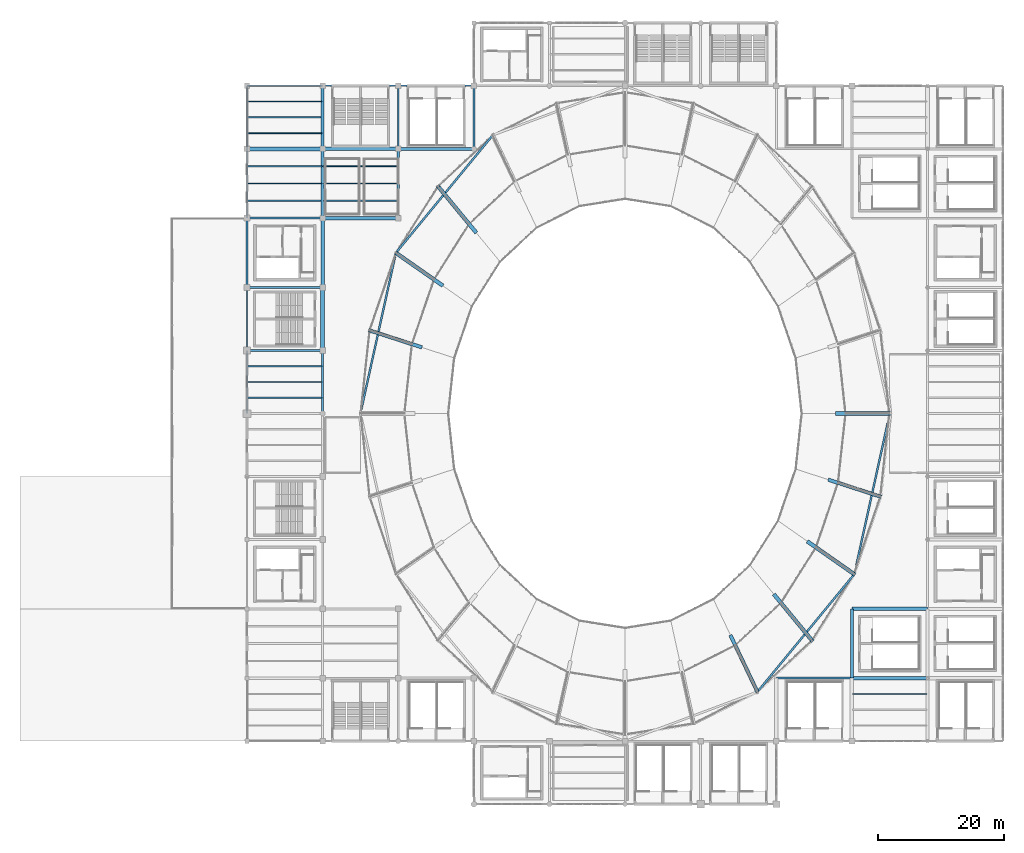
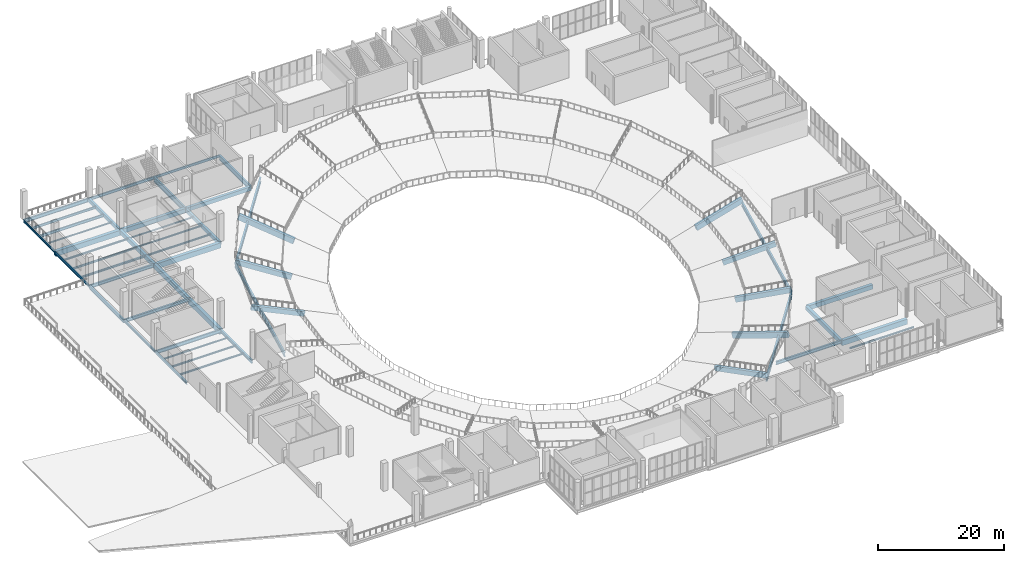
# One storey, part 17 of 74: 52 beams.
"""IFC4 building model written with IfcOpenShell, lengths in metres."""

from ifc_helpers import new_model, si_unit, direction, frame, origin, origin_2d, place, context, subcontext, project, spatial, rectangle, i_section, extrude, material, material_profile, profile_set, type_object, element, save


model = new_model("IFC4")

# Units and contexts
model_context = context("Model", 3, precision=1e-05, world=origin(), true_north=direction((0.0, 1.0)))
body_context = subcontext(model_context, "Body", "Model", "MODEL_VIEW")
ifc_project = project(units=[si_unit("LENGTHUNIT", "METRE"), si_unit("AREAUNIT", "SQUARE_METRE"), si_unit("VOLUMEUNIT", "CUBIC_METRE"), si_unit("PLANEANGLEUNIT", "RADIAN"), si_unit("MASSUNIT", "GRAM", prefix="KILO")], contexts=[model_context])

# Site, building, storey
site_placement = place(None, origin())
site = spatial("IfcSite", under=ifc_project, at=site_placement, CompositionType="ELEMENT")
building_placement = place(site_placement, origin())
building = spatial("IfcBuilding", under=site, at=building_placement, Name="Brinegate Civic Arena", CompositionType="ELEMENT")
storey_placement = place(building_placement, frame((0.0, 0.0, 19.199951171875)))
storey = spatial("IfcBuildingStorey", under=building, at=storey_placement, Name="L04", CompositionType="ELEMENT", Elevation=19.199951171875)

# Beams
ifc_material_1 = material(Name="Steel S355", Category="steel")
ifc_material_profile_1 = material_profile(ifc_material_1, i_section(OverallWidth=0.300048828125, OverallDepth=1.0, WebThickness=0.01904296875, FlangeThickness=0.031982421875, FilletRadius=0.02392578125, at=origin_2d()), Name="W1000X321")
ifc_profile_set_1 = profile_set([ifc_material_profile_1], Name="Steel S355")
beam_type_1 = type_object("IfcBeamType", Name="GIRDER-W1000X321", PredefinedType="BEAM", material=ifc_profile_set_1)
beam_1_placement = place(storey_placement, frame((72.0, 104.0, -0.83984375), z_axis=(0.0, 1.0, 0.0), x_axis=(-1.0, 0.0, 0.0)))
element("IfcBeam", 1, at=beam_1_placement, inside=storey, type_object=beam_type_1, Name="Floor Girder BM-L04-GY-06-10", PredefinedType="BEAM", context=body_context, shape_type="SweptSolid", body=[
    extrude(i_section(OverallWidth=0.300048828125, OverallDepth=1.0, WebThickness=0.01904296875, FlangeThickness=0.031982421875, FilletRadius=0.02392578125, at=origin_2d()), origin(), (0.0, 0.0, 1.0), 10.0),
])
ifc_material_profile_2 = material_profile(ifc_material_1, i_section(OverallWidth=0.323974609375, OverallDepth=0.611083984375, WebThickness=0.012939453125, FlangeThickness=0.01904296875, FilletRadius=0.01611328125, at=origin_2d()), Name="W610X155")
ifc_profile_set_2 = profile_set([ifc_material_profile_2], Name="Steel S355")
beam_type_2 = type_object("IfcBeamType", Name="GIRDER-W610X155", PredefinedType="BEAM", material=ifc_profile_set_2)
beam_2_placement = place(storey_placement, frame((48.0, 82.0, -0.64501953125), z_axis=(1.0, 0.0, 0.0), x_axis=(0.0, 1.0, 0.0)))
element("IfcBeam", 2, at=beam_2_placement, inside=storey, type_object=beam_type_2, Name="Floor Girder BM-L04-GX-04-08", PredefinedType="BEAM", context=body_context, shape_type="SweptSolid", body=[
    extrude(i_section(OverallWidth=0.323974609375, OverallDepth=0.611083984375, WebThickness=0.012939453125, FlangeThickness=0.01904296875, FilletRadius=0.01611328125, at=origin_2d()), origin(), (0.0, 0.0, 1.0), 12.0),
])
ifc_material_profile_3 = material_profile(ifc_material_1, i_section(OverallWidth=0.324951171875, OverallDepth=0.615966796875, WebThickness=0.013916015625, FlangeThickness=0.02197265625, FilletRadius=0.01611328125, at=origin_2d()), Name="W610X174")
ifc_profile_set_3 = profile_set([ifc_material_profile_3], Name="Steel S355")
beam_type_3 = type_object("IfcBeamType", Name="GIRDER-W610X174", PredefinedType="BEAM", material=ifc_profile_set_3)
for number, where, z_axis, x_axis, name in (
    (3, (132.0, 20.0, -0.64794921875), (1.0, 0.0, 0.0), (0.0, 1.0, 0.0), "Floor Girder BM-L04-GX-11-02"),
    (4, (48.0, 93.0, -0.64794921875), (1.0, 0.0, 0.0), (0.0, 1.0, 0.0), "Floor Girder BM-L04-GX-04-09"),
):
    element("IfcBeam", number, at=place(storey_placement, frame(where, z_axis=z_axis, x_axis=x_axis)), inside=storey, type_object=beam_type_3, Name=name, PredefinedType="BEAM", context=body_context, shape_type="SweptSolid", body=[
        extrude(i_section(OverallWidth=0.324951171875, OverallDepth=0.615966796875, WebThickness=0.013916015625, FlangeThickness=0.02197265625, FilletRadius=0.01611328125, at=origin_2d()), origin(), (0.0, 0.0, 1.0), 12.0),
    ])
beam_3_placement = place(storey_placement, frame((60.0, 62.0, -0.64794921875), z_axis=(0.0, 1.0, 0.0), x_axis=(-1.0, 0.0, 0.0)))
element("IfcBeam", 5, at=beam_3_placement, inside=storey, type_object=beam_type_3, Name="Floor Girder BM-L04-GY-05-06", PredefinedType="BEAM", context=body_context, shape_type="SweptSolid", body=[
    extrude(i_section(OverallWidth=0.324951171875, OverallDepth=0.615966796875, WebThickness=0.013916015625, FlangeThickness=0.02197265625, FilletRadius=0.01611328125, at=origin_2d()), origin(), (0.0, 0.0, 1.0), 10.0),
])
ifc_material_profile_4 = material_profile(ifc_material_1, i_section(OverallWidth=0.256103515625, OverallDepth=0.693115234375, WebThickness=0.014892578125, FlangeThickness=0.02392578125, FilletRadius=0.01806640625, at=origin_2d()), Name="W690X170")
ifc_profile_set_4 = profile_set([ifc_material_profile_4], Name="Steel S355")
beam_type_4 = type_object("IfcBeamType", Name="GIRDER-W690X170", PredefinedType="BEAM", material=ifc_profile_set_4)
beam_4_placement = place(storey_placement, frame((48.0, 72.0, -0.68603515625), z_axis=(1.0, 0.0, 0.0), x_axis=(0.0, 1.0, 0.0)))
element("IfcBeam", 6, at=beam_4_placement, inside=storey, type_object=beam_type_4, Name="Floor Girder BM-L04-GX-04-07", PredefinedType="BEAM", context=body_context, shape_type="SweptSolid", body=[
    extrude(i_section(OverallWidth=0.256103515625, OverallDepth=0.693115234375, WebThickness=0.014892578125, FlangeThickness=0.02392578125, FilletRadius=0.01806640625, at=origin_2d()), origin(), (0.0, 0.0, 1.0), 12.0),
])
ifc_material_profile_5 = material_profile(ifc_material_1, i_section(OverallWidth=0.30810546875, OverallDepth=0.927001953125, WebThickness=0.01904296875, FlangeThickness=0.031982421875, FilletRadius=0.02392578125, at=origin_2d()), Name="W920X289")
ifc_profile_set_5 = profile_set([ifc_material_profile_5], Name="Steel S355")
beam_type_5 = type_object("IfcBeamType", Name="GIRDER-W920X289", PredefinedType="BEAM", material=ifc_profile_set_5)
beam_5_placement = place(storey_placement, frame((84.0, 104.0, -0.802978515625), z_axis=(0.0, 1.0, 0.0), x_axis=(-1.0, 0.0, 0.0)))
element("IfcBeam", 7, at=beam_5_placement, inside=storey, type_object=beam_type_5, Name="Floor Girder BM-L04-GY-07-10", PredefinedType="BEAM", context=body_context, shape_type="SweptSolid", body=[
    extrude(i_section(OverallWidth=0.30810546875, OverallDepth=0.927001953125, WebThickness=0.01904296875, FlangeThickness=0.031982421875, FilletRadius=0.02392578125, at=origin_2d()), origin(), (0.0, 0.0, 1.0), 10.0),
])
ifc_material_profile_6 = material_profile(ifc_material_1, i_section(OverallWidth=0.14794921875, OverallDepth=0.26611328125, WebThickness=0.008056640625, FlangeThickness=0.012939453125, FilletRadius=0.011962890625, at=origin_2d()), Name="W250X45")
ifc_profile_set_6 = profile_set([ifc_material_profile_6], Name="Steel S355")
beam_type_6 = type_object("IfcBeamType", Name="JOIST-W250X45", PredefinedType="JOIST", material=ifc_profile_set_6)
for number, where, z_axis, x_axis, name in (
    (8, (48.10595703125, 106.5, -0.472900390625), (1.0, 0.0, 0.0), (0.0, 1.0, 0.0), "Secondary Joist BM-L04-JX-04-10-1"),
    (9, (60.10595703125, 101.25, -0.472900390625), (1.0, 0.0, 0.0), (0.0, 1.0, 0.0), "Secondary Joist BM-L04-JX-05-09-3"),
):
    element("IfcBeam", number, at=place(storey_placement, frame(where, z_axis=z_axis, x_axis=x_axis)), inside=storey, type_object=beam_type_6, Name=name, PredefinedType="JOIST", context=body_context, shape_type="SweptSolid", body=[
        extrude(i_section(OverallWidth=0.14794921875, OverallDepth=0.26611328125, WebThickness=0.008056640625, FlangeThickness=0.012939453125, FilletRadius=0.011962890625, at=origin_2d()), origin(), (0.0, 0.0, 1.0), 11.7880859375),
    ])
ifc_material_profile_7 = material_profile(ifc_material_1, i_section(OverallWidth=0.202880859375, OverallDepth=0.251953125, WebThickness=0.008056640625, FlangeThickness=0.013916015625, FilletRadius=0.011962890625, at=origin_2d()), Name="W250X58")
ifc_profile_set_7 = profile_set([ifc_material_profile_7], Name="Steel S355")
beam_type_7 = type_object("IfcBeamType", Name="JOIST-W250X58", PredefinedType="JOIST", material=ifc_profile_set_7)
for number, where, z_axis, x_axis, name in (
    (10, (48.10595703125, 69.5, -0.466064453125), (1.0, 0.0, 0.0), (0.0, 1.0, 0.0), "Secondary Joist BM-L04-JX-04-06-3"),
    (11, (60.10595703125, 98.5, -0.466064453125), (1.0, 0.0, 0.0), (0.0, 1.0, 0.0), "Secondary Joist BM-L04-JX-05-09-2"),
):
    element("IfcBeam", number, at=place(storey_placement, frame(where, z_axis=z_axis, x_axis=x_axis)), inside=storey, type_object=beam_type_7, Name=name, PredefinedType="JOIST", context=body_context, shape_type="SweptSolid", body=[
        extrude(i_section(OverallWidth=0.202880859375, OverallDepth=0.251953125, WebThickness=0.008056640625, FlangeThickness=0.013916015625, FilletRadius=0.011962890625, at=origin_2d()), origin(), (0.0, 0.0, 1.0), 11.7880859375),
    ])
ifc_material_profile_8 = material_profile(ifc_material_1, i_section(OverallWidth=0.202880859375, OverallDepth=0.302978515625, WebThickness=0.008056640625, FlangeThickness=0.012939453125, FilletRadius=0.012939453125, at=origin_2d()), Name="W310X60")
ifc_profile_set_8 = profile_set([ifc_material_profile_8], Name="Steel S355")
beam_type_8 = type_object("IfcBeamType", Name="JOIST-W310X60", PredefinedType="JOIST", material=ifc_profile_set_8)
for number, where, z_axis, x_axis, name in (
    (12, (48.10595703125, 67.0, -0.490966796875), (1.0, 0.0, 0.0), (0.0, 1.0, 0.0), "Secondary Joist BM-L04-JX-04-06-2"),
    (13, (60.10595703125, 95.75, -0.490966796875), (1.0, 0.0, 0.0), (0.0, 1.0, 0.0), "Secondary Joist BM-L04-JX-05-09-1"),
    (14, (144.10595703125, 17.5, -0.490966796875), (1.0, 0.0, 0.0), (0.0, 1.0, 0.0), "Secondary Joist BM-L04-JX-12-01-3"),
):
    element("IfcBeam", number, at=place(storey_placement, frame(where, z_axis=z_axis, x_axis=x_axis)), inside=storey, type_object=beam_type_8, Name=name, PredefinedType="JOIST", context=body_context, shape_type="SweptSolid", body=[
        extrude(i_section(OverallWidth=0.202880859375, OverallDepth=0.302978515625, WebThickness=0.008056640625, FlangeThickness=0.012939453125, FilletRadius=0.012939453125, at=origin_2d()), origin(), (0.0, 0.0, 1.0), 11.7880859375),
    ])
ifc_material_profile_9 = material_profile(ifc_material_1, i_section(OverallWidth=0.205078125, OverallDepth=0.31005859375, WebThickness=0.009033203125, FlangeThickness=0.01611328125, FilletRadius=0.012939453125, at=origin_2d()), Name="W310X74")
ifc_profile_set_9 = profile_set([ifc_material_profile_9], Name="Steel S355")
beam_type_9 = type_object("IfcBeamType", Name="JOIST-W310X74", PredefinedType="JOIST", material=ifc_profile_set_9)
for number, where, z_axis, x_axis, name in (
    (15, (48.10595703125, 64.5, -0.494873046875), (1.0, 0.0, 0.0), (0.0, 1.0, 0.0), "Secondary Joist BM-L04-JX-04-06-1"),
    (16, (48.10595703125, 101.25, -0.494873046875), (1.0, 0.0, 0.0), (0.0, 1.0, 0.0), "Secondary Joist BM-L04-JX-04-09-3"),
):
    element("IfcBeam", number, at=place(storey_placement, frame(where, z_axis=z_axis, x_axis=x_axis)), inside=storey, type_object=beam_type_9, Name=name, PredefinedType="JOIST", context=body_context, shape_type="SweptSolid", body=[
        extrude(i_section(OverallWidth=0.205078125, OverallDepth=0.31005859375, WebThickness=0.009033203125, FlangeThickness=0.01611328125, FilletRadius=0.012939453125, at=origin_2d()), origin(), (0.0, 0.0, 1.0), 11.7880859375),
    ])
ifc_material_profile_10 = material_profile(ifc_material_1, i_section(OverallWidth=0.205078125, OverallDepth=0.35400390625, WebThickness=0.009033203125, FlangeThickness=0.01708984375, FilletRadius=0.013916015625, at=origin_2d()), Name="W360X79")
ifc_profile_set_10 = profile_set([ifc_material_profile_10], Name="Steel S355")
beam_type_10 = type_object("IfcBeamType", Name="JOIST-W360X79", PredefinedType="JOIST", material=ifc_profile_set_10)
beam_6_placement = place(storey_placement, frame((48.10595703125, 98.5, -0.516845703125), z_axis=(1.0, 0.0, 0.0), x_axis=(0.0, 1.0, 0.0)))
element("IfcBeam", 17, at=beam_6_placement, inside=storey, type_object=beam_type_10, Name="Secondary Joist BM-L04-JX-04-09-2", PredefinedType="JOIST", context=body_context, shape_type="SweptSolid", body=[
    extrude(i_section(OverallWidth=0.205078125, OverallDepth=0.35400390625, WebThickness=0.009033203125, FlangeThickness=0.01708984375, FilletRadius=0.013916015625, at=origin_2d()), origin(), (0.0, 0.0, 1.0), 11.7880859375),
])
ifc_material_profile_11 = material_profile(ifc_material_1, i_section(OverallWidth=0.25390625, OverallDepth=0.35302734375, WebThickness=0.010009765625, FlangeThickness=0.01611328125, FilletRadius=0.013916015625, at=origin_2d()), Name="W360X91")
ifc_profile_set_11 = profile_set([ifc_material_profile_11], Name="Steel S355")
beam_type_11 = type_object("IfcBeamType", Name="JOIST-W360X91", PredefinedType="JOIST", material=ifc_profile_set_11)
beam_7_placement = place(storey_placement, frame((48.10595703125, 95.75, -0.515869140625), z_axis=(1.0, 0.0, 0.0), x_axis=(0.0, 1.0, 0.0)))
element("IfcBeam", 18, at=beam_7_placement, inside=storey, type_object=beam_type_11, Name="Secondary Joist BM-L04-JX-04-09-1", PredefinedType="JOIST", context=body_context, shape_type="SweptSolid", body=[
    extrude(i_section(OverallWidth=0.25390625, OverallDepth=0.35302734375, WebThickness=0.010009765625, FlangeThickness=0.01611328125, FilletRadius=0.013916015625, at=origin_2d()), origin(), (0.0, 0.0, 1.0), 11.7880859375),
])
ifc_material_profile_12 = material_profile(ifc_material_1, i_section(OverallWidth=0.193115234375, OverallDepth=0.466064453125, WebThickness=0.010986328125, FlangeThickness=0.01904296875, FilletRadius=0.014892578125, at=origin_2d()), Name="W460X97")
ifc_profile_set_12 = profile_set([ifc_material_profile_12], Name="Steel S355")
beam_type_12 = type_object("IfcBeamType", Name="JOIST-W460X97", PredefinedType="JOIST", material=ifc_profile_set_12)
beam_8_placement = place(storey_placement, frame((48.10595703125, 111.5, -0.572998046875), z_axis=(1.0, 0.0, 0.0), x_axis=(0.0, 1.0, 0.0)))
element("IfcBeam", 19, at=beam_8_placement, inside=storey, type_object=beam_type_12, Name="Secondary Joist BM-L04-JX-04-10-3", PredefinedType="JOIST", context=body_context, shape_type="SweptSolid", body=[
    extrude(i_section(OverallWidth=0.193115234375, OverallDepth=0.466064453125, WebThickness=0.010986328125, FlangeThickness=0.01904296875, FilletRadius=0.014892578125, at=origin_2d()), origin(), (0.0, 0.0, 1.0), 11.7880859375),
])
ifc_material_profile_13 = material_profile(ifc_material_1, i_section(OverallWidth=0.2119140625, OverallDepth=0.5439453125, WebThickness=0.012939453125, FlangeThickness=0.02099609375, FilletRadius=0.01611328125, at=origin_2d()), Name="W530X123")
ifc_profile_set_13 = profile_set([ifc_material_profile_13], Name="Steel S355")
beam_type_13 = type_object("IfcBeamType", Name="JOIST-W530X123", PredefinedType="JOIST", material=ifc_profile_set_13)
beam_9_placement = place(storey_placement, frame((48.10595703125, 109.0, -0.612060546875), z_axis=(1.0, 0.0, 0.0), x_axis=(0.0, 1.0, 0.0)))
element("IfcBeam", 20, at=beam_9_placement, inside=storey, type_object=beam_type_13, Name="Secondary Joist BM-L04-JX-04-10-2", PredefinedType="JOIST", context=body_context, shape_type="SweptSolid", body=[
    extrude(i_section(OverallWidth=0.2119140625, OverallDepth=0.5439453125, WebThickness=0.012939453125, FlangeThickness=0.02099609375, FilletRadius=0.01611328125, at=origin_2d()), origin(), (0.0, 0.0, 1.0), 11.7880859375),
])
ifc_material_2 = material(Name="Concrete C50/60", Category="concrete")
ifc_material_profile_14 = material_profile(ifc_material_2, rectangle(XDim=0.550048828125, YDim=0.89990234375, at=origin_2d()), Name="RKR550X900")
ifc_profile_set_14 = profile_set([ifc_material_profile_14], Name="Concrete C50/60")
beam_type_14 = type_object("IfcBeamType", Name="RAKER-RKR550X900", PredefinedType="USERDEFINED", material=ifc_profile_set_14)
beam_10_placement = place(storey_placement, frame((75.64111328125, 72.533935546875, -3.099853515625), z_axis=(-0.914974986792, 0.297110436105, 0.273031430981), x_axis=(-0.308844965633, -0.951112394622, 0.0)))
element("IfcBeam", 21, at=beam_10_placement, inside=storey, type_object=beam_type_14, Name="Upper Bowl Raker Girder RKR-UPR-12", ObjectType="RAKER GIRDER", PredefinedType="USERDEFINED", context=body_context, shape_type="SweptSolid", body=[
    extrude(rectangle(XDim=0.550048828125, YDim=0.89990234375, at=origin_2d()), origin(), (0.0, 0.0, 1.0), 8.97314453125),
])
beam_11_placement = place(storey_placement, frame((124.75, 26.7529296875, -3.099853515625), z_axis=(0.417490568873, -0.876231354799, 0.240666237284), x_axis=(0.902765497567, 0.430133068252, 0.0)))
element("IfcBeam", 22, at=beam_11_placement, inside=storey, type_object=beam_type_14, Name="Upper Bowl Raker Girder RKR-UPR-21", ObjectType="RAKER GIRDER", PredefinedType="USERDEFINED", context=body_context, shape_type="SweptSolid", body=[
    extrude(rectangle(XDim=0.550048828125, YDim=0.89990234375, at=origin_2d()), origin(), (0.0, 0.0, 1.0), 10.179931640625),
])
beam_12_placement = place(storey_placement, frame((140.35888671875, 51.466064453125, -3.099853515625), z_axis=(0.914974986792, -0.297110436105, 0.273031430981), x_axis=(0.308844965633, 0.951112394622, 0.0)))
element("IfcBeam", 23, at=beam_12_placement, inside=storey, type_object=beam_type_14, Name="Upper Bowl Raker Girder RKR-UPR-24", ObjectType="RAKER GIRDER", PredefinedType="USERDEFINED", context=body_context, shape_type="SweptSolid", body=[
    extrude(rectangle(XDim=0.550048828125, YDim=0.89990234375, at=origin_2d()), origin(), (0.0, 0.0, 1.0), 8.97314453125),
])
ifc_material_profile_15 = material_profile(ifc_material_2, rectangle(XDim=0.60009765625, YDim=1.050048828125, at=origin_2d()), Name="RKR600X1050")
ifc_profile_set_15 = profile_set([ifc_material_profile_15], Name="Concrete C50/60")
beam_type_15 = type_object("IfcBeamType", Name="RAKER-RKR600X1050", PredefinedType="USERDEFINED", material=ifc_profile_set_15)
beam_13_placement = place(storey_placement, frame((141.5, 62.0, -3.099853515625), z_axis=(0.960882931725, 0.0, 0.27695485466), x_axis=(0.0, 1.0, 0.0)))
element("IfcBeam", 24, at=beam_13_placement, inside=storey, type_object=beam_type_15, Name="Upper Bowl Raker Girder RKR-UPR-01", ObjectType="RAKER GIRDER", PredefinedType="USERDEFINED", context=body_context, shape_type="SweptSolid", body=[
    extrude(rectangle(XDim=0.60009765625, YDim=1.050048828125, at=origin_2d()), origin(), (0.0, 0.0, 1.0), 8.845947265625),
])
for number, where, z_axis, x_axis, name in (
    (25, (84.31201171875, 90.779052734375, -3.099853515625), (-0.616082542509, 0.746571813202, 0.251143043997), (-0.77129172537, -0.636481794222, 0.0), "Upper Bowl Raker Girder RKR-UPR-10"),
    (26, (131.68798828125, 33.220947265625, -3.099853515625), (0.616082542509, -0.746571813202, 0.251143043997), (0.77129172537, 0.636481794222, 0.0), "Upper Bowl Raker Girder RKR-UPR-22"),
):
    element("IfcBeam", number, at=place(storey_placement, frame(where, z_axis=z_axis, x_axis=x_axis)), inside=storey, type_object=beam_type_15, Name=name, ObjectType="RAKER GIRDER", PredefinedType="USERDEFINED", context=body_context, shape_type="SweptSolid", body=[
        extrude(rectangle(XDim=0.60009765625, YDim=1.050048828125, at=origin_2d()), origin(), (0.0, 0.0, 1.0), 9.755126953125),
    ])
ifc_material_profile_16 = material_profile(ifc_material_2, rectangle(XDim=0.60009765625, YDim=0.949951171875, at=origin_2d()), Name="RKR600X950")
ifc_profile_set_16 = profile_set([ifc_material_profile_16], Name="Concrete C50/60")
beam_type_16 = type_object("IfcBeamType", Name="RAKER-RKR600X950", PredefinedType="USERDEFINED", material=ifc_profile_set_16)
for number, where, z_axis, x_axis, name in (
    (27, (78.988037109375, 82.35009765625, -3.099853515625), (-0.790512791531, 0.553052198088, 0.263102247455), (-0.573248930073, -0.819381269111, 0.0), "Upper Bowl Raker Girder RKR-UPR-11"),
    (28, (137.011962890625, 41.64990234375, -3.099853515625), (0.790512791531, -0.553052198088, 0.263102247455), (0.573248930073, 0.819381269111, 0.0), "Upper Bowl Raker Girder RKR-UPR-23"),
):
    element("IfcBeam", number, at=place(storey_placement, frame(where, z_axis=z_axis, x_axis=x_axis)), inside=storey, type_object=beam_type_16, Name=name, ObjectType="RAKER GIRDER", PredefinedType="USERDEFINED", context=body_context, shape_type="SweptSolid", body=[
        extrude(rectangle(XDim=0.60009765625, YDim=0.949951171875, at=origin_2d()), origin(), (0.0, 0.0, 1.0), 9.311767578125),
    ])
ifc_material_profile_17 = material_profile(ifc_material_2, rectangle(XDim=0.449951171875, YDim=0.64990234375, at=origin_2d()), Name="RCB450X650")
ifc_profile_set_17 = profile_set([ifc_material_profile_17], Name="Concrete C50/60")
beam_type_17 = type_object("IfcBeamType", Name="RCG-450X650", PredefinedType="BEAM", material=ifc_profile_set_17)
beam_14_placement = place(storey_placement, frame((60.0, 104.0, -0.6650390625), z_axis=(0.0, 1.0, 0.0), x_axis=(-1.0, 0.0, 0.0)))
element("IfcBeam", 29, at=beam_14_placement, inside=storey, type_object=beam_type_17, Name="Floor Girder BM-L04-GY-05-10", PredefinedType="BEAM", context=body_context, shape_type="SweptSolid", body=[
    extrude(rectangle(XDim=0.449951171875, YDim=0.64990234375, at=origin_2d()), origin(), (0.0, 0.0, 1.0), 10.0),
])
beam_15_placement = place(storey_placement, frame((72.0, 93.0, -0.6650390625), z_axis=(0.0, 1.0, 0.0), x_axis=(-1.0, 0.0, 0.0)))
element("IfcBeam", 30, at=beam_15_placement, inside=storey, type_object=beam_type_17, Name="Floor Girder BM-L04-GY-06-09", PredefinedType="BEAM", context=body_context, shape_type="SweptSolid", body=[
    extrude(rectangle(XDim=0.449951171875, YDim=0.64990234375, at=origin_2d()), origin(), (0.0, 0.0, 1.0), 11.0),
])
ifc_material_profile_18 = material_profile(ifc_material_2, rectangle(XDim=0.5, YDim=0.75, at=origin_2d()), Name="RCB500X750")
ifc_profile_set_18 = profile_set([ifc_material_profile_18], Name="Concrete C50/60")
beam_type_18 = type_object("IfcBeamType", Name="RCG-500X750", PredefinedType="BEAM", material=ifc_profile_set_18)
beam_16_placement = place(storey_placement, frame((72.0, 104.0, -0.71484375), z_axis=(1.0, 0.0, 0.0), x_axis=(0.0, 1.0, 0.0)))
element("IfcBeam", 31, at=beam_16_placement, inside=storey, type_object=beam_type_18, Name="Floor Girder BM-L04-GX-06-10", PredefinedType="BEAM", context=body_context, shape_type="SweptSolid", body=[
    extrude(rectangle(XDim=0.5, YDim=0.75, at=origin_2d()), origin(), (0.0, 0.0, 1.0), 12.0),
])
for number, where, z_axis, x_axis, name in (
    (32, (60.0, 93.0, -0.71484375), (0.0, 1.0, 0.0), (-1.0, 0.0, 0.0), "Floor Girder BM-L04-GY-05-09"),
    (33, (144.0, 20.0, -0.71484375), (0.0, 1.0, 0.0), (-1.0, 0.0, 0.0), "Floor Girder BM-L04-GY-12-02"),
):
    element("IfcBeam", number, at=place(storey_placement, frame(where, z_axis=z_axis, x_axis=x_axis)), inside=storey, type_object=beam_type_18, Name=name, PredefinedType="BEAM", context=body_context, shape_type="SweptSolid", body=[
        extrude(rectangle(XDim=0.5, YDim=0.75, at=origin_2d()), origin(), (0.0, 0.0, 1.0), 11.0),
    ])
ifc_material_profile_19 = material_profile(ifc_material_2, rectangle(XDim=0.550048828125, YDim=0.85009765625, at=origin_2d()), Name="RCB550X850")
ifc_profile_set_19 = profile_set([ifc_material_profile_19], Name="Concrete C50/60")
beam_type_19 = type_object("IfcBeamType", Name="RCG-550X850", PredefinedType="BEAM", material=ifc_profile_set_19)
for number, where, z_axis, x_axis, name in (
    (34, (144.0, 31.0, -0.764892578125), (1.0, 0.0, 0.0), (0.0, 1.0, 0.0), "Floor Girder BM-L04-GX-12-03"),
    (35, (60.0, 104.0, -0.764892578125), (1.0, 0.0, 0.0), (0.0, 1.0, 0.0), "Floor Girder BM-L04-GX-05-10"),
):
    element("IfcBeam", number, at=place(storey_placement, frame(where, z_axis=z_axis, x_axis=x_axis)), inside=storey, type_object=beam_type_19, Name=name, PredefinedType="BEAM", context=body_context, shape_type="SweptSolid", body=[
        extrude(rectangle(XDim=0.550048828125, YDim=0.85009765625, at=origin_2d()), origin(), (0.0, 0.0, 1.0), 12.0),
    ])
beam_17_placement = place(storey_placement, frame((60.0, 82.0, -0.764892578125), z_axis=(0.0, 1.0, 0.0), x_axis=(-1.0, 0.0, 0.0)))
element("IfcBeam", 36, at=beam_17_placement, inside=storey, type_object=beam_type_19, Name="Floor Girder BM-L04-GY-05-08", PredefinedType="BEAM", context=body_context, shape_type="SweptSolid", body=[
    extrude(rectangle(XDim=0.550048828125, YDim=0.85009765625, at=origin_2d()), origin(), (0.0, 0.0, 1.0), 11.0),
])
ifc_material_profile_20 = material_profile(ifc_material_2, rectangle(XDim=0.60009765625, YDim=1.0, at=origin_2d()), Name="RCB600X1000")
ifc_profile_set_20 = profile_set([ifc_material_profile_20], Name="Concrete C50/60")
beam_type_20 = type_object("IfcBeamType", Name="RCG-600X1000", PredefinedType="BEAM", material=ifc_profile_set_20)
for number, where, z_axis, x_axis, name in (
    (37, (144.0, 20.0, -0.83984375), (1.0, 0.0, 0.0), (0.0, 1.0, 0.0), "Floor Girder BM-L04-GX-12-02"),
    (38, (60.0, 93.0, -0.83984375), (1.0, 0.0, 0.0), (0.0, 1.0, 0.0), "Floor Girder BM-L04-GX-05-09"),
    (39, (48.0, 104.0, -0.83984375), (1.0, 0.0, 0.0), (0.0, 1.0, 0.0), "Floor Girder BM-L04-GX-04-10"),
):
    element("IfcBeam", number, at=place(storey_placement, frame(where, z_axis=z_axis, x_axis=x_axis)), inside=storey, type_object=beam_type_20, Name=name, PredefinedType="BEAM", context=body_context, shape_type="SweptSolid", body=[
        extrude(rectangle(XDim=0.60009765625, YDim=1.0, at=origin_2d()), origin(), (0.0, 0.0, 1.0), 12.0),
    ])
beam_18_placement = place(storey_placement, frame((60.0, 72.0, -0.83984375), z_axis=(0.0, 1.0, 0.0), x_axis=(-1.0, 0.0, 0.0)))
element("IfcBeam", 40, at=beam_18_placement, inside=storey, type_object=beam_type_20, Name="Floor Girder BM-L04-GY-05-07", PredefinedType="BEAM", context=body_context, shape_type="SweptSolid", body=[
    extrude(rectangle(XDim=0.60009765625, YDim=1.0, at=origin_2d()), origin(), (0.0, 0.0, 1.0), 10.0),
])
ifc_material_profile_21 = material_profile(ifc_material_1, i_section(OverallWidth=0.2939453125, OverallDepth=0.85107421875, WebThickness=0.01611328125, FlangeThickness=0.027099609375, FilletRadius=0.02197265625, at=origin_2d()), Name="W840X226")
ifc_profile_set_21 = profile_set([ifc_material_profile_21], Name="Steel S355")
beam_type_21 = type_object("IfcBeamType", Name="RING-W840X226", PredefinedType="BEAM", material=ifc_profile_set_21)
for number, where, z_axis, x_axis, name in (
    (41, (71.626953125, 87.5, -1.375), (-0.215480978619, -0.976508037782, 0.0), (0.976508037782, -0.215480978619, 0.0), "Bowl Ring Girder RG-BOWL-06"),
    (42, (144.373046875, 36.5, -1.375), (0.215480978619, 0.976508037782, 0.0), (-0.976508037782, 0.215480978619, 0.0), "Bowl Ring Girder RG-BOWL-12"),
):
    element("IfcBeam", number, at=place(storey_placement, frame(where, z_axis=z_axis, x_axis=x_axis)), inside=storey, type_object=beam_type_21, Name=name, PredefinedType="BEAM", context=body_context, shape_type="SweptSolid", body=[
        extrude(i_section(OverallWidth=0.2939453125, OverallDepth=0.85107421875, WebThickness=0.01611328125, FlangeThickness=0.027099609375, FilletRadius=0.02197265625, at=origin_2d()), origin(), (0.0, 0.0, 1.0), 26.113525390625),
    ])
ifc_material_profile_22 = material_profile(ifc_material_1, i_section(OverallWidth=0.30810546875, OverallDepth=0.927001953125, WebThickness=0.01904296875, FlangeThickness=0.031982421875, FilletRadius=0.02392578125, at=origin_2d()), Name="W920X289")
ifc_profile_set_22 = profile_set([ifc_material_profile_22], Name="Steel S355")
beam_type_22 = type_object("IfcBeamType", Name="RING-W920X289", PredefinedType="BEAM", material=ifc_profile_set_22)
for number, where, z_axis, x_axis, name in (
    (43, (87.0, 106.1669921875, -1.412841796875), (-0.635712914824, -0.77192557279, 0.0), (0.77192557279, -0.635712914824, 0.0), "Bowl Ring Girder RG-BOWL-05"),
    (44, (129.0, 17.8330078125, -1.412841796875), (0.635712914824, 0.77192557279, 0.0), (-0.77192557279, 0.635712914824, 0.0), "Bowl Ring Girder RG-BOWL-11"),
):
    element("IfcBeam", number, at=place(storey_placement, frame(where, z_axis=z_axis, x_axis=x_axis)), inside=storey, type_object=beam_type_22, Name=name, PredefinedType="BEAM", context=body_context, shape_type="SweptSolid", body=[
        extrude(i_section(OverallWidth=0.30810546875, OverallDepth=0.927001953125, WebThickness=0.01904296875, FlangeThickness=0.031982421875, FilletRadius=0.02392578125, at=origin_2d()), origin(), (0.0, 0.0, 1.0), 24.182373046875),
    ])
ifc_material_profile_23 = material_profile(ifc_material_1, i_section(OverallWidth=0.193115234375, OverallDepth=0.466064453125, WebThickness=0.010986328125, FlangeThickness=0.01904296875, FilletRadius=0.014892578125, at=origin_2d()), Name="W460X97")
ifc_profile_set_23 = profile_set([ifc_material_profile_23], Name="Steel S355")
beam_type_23 = type_object("IfcBeamType", Name="SPANDREL-W460X97", PredefinedType="SPANDREL", material=ifc_profile_set_23)
beam_19_placement = place(storey_placement, frame((72.0, 114.0, -0.572998046875), z_axis=(1.0, 0.0, 0.0), x_axis=(0.0, 1.0, 0.0)))
element("IfcBeam", 45, at=beam_19_placement, inside=storey, type_object=beam_type_23, Name="Floor Girder BM-L04-GX-06-11", PredefinedType="SPANDREL", context=body_context, shape_type="SweptSolid", body=[
    extrude(i_section(OverallWidth=0.193115234375, OverallDepth=0.466064453125, WebThickness=0.010986328125, FlangeThickness=0.01904296875, FilletRadius=0.014892578125, at=origin_2d()), origin(), (0.0, 0.0, 1.0), 12.0),
])
for number, where, z_axis, x_axis, name in (
    (46, (48.0, 72.0, -0.572998046875), (0.0, 1.0, 0.0), (-1.0, 0.0, 0.0), "Floor Girder BM-L04-GY-04-07"),
    (47, (48.0, 104.0, -0.572998046875), (0.0, 1.0, 0.0), (-1.0, 0.0, 0.0), "Floor Girder BM-L04-GY-04-10"),
):
    element("IfcBeam", number, at=place(storey_placement, frame(where, z_axis=z_axis, x_axis=x_axis)), inside=storey, type_object=beam_type_23, Name=name, PredefinedType="SPANDREL", context=body_context, shape_type="SweptSolid", body=[
        extrude(i_section(OverallWidth=0.193115234375, OverallDepth=0.466064453125, WebThickness=0.010986328125, FlangeThickness=0.01904296875, FilletRadius=0.014892578125, at=origin_2d()), origin(), (0.0, 0.0, 1.0), 10.0),
    ])
ifc_material_profile_24 = material_profile(ifc_material_1, i_section(OverallWidth=0.2119140625, OverallDepth=0.5439453125, WebThickness=0.012939453125, FlangeThickness=0.02099609375, FilletRadius=0.01611328125, at=origin_2d()), Name="W530X123")
ifc_profile_set_24 = profile_set([ifc_material_profile_24], Name="Steel S355")
beam_type_24 = type_object("IfcBeamType", Name="SPANDREL-W530X123", PredefinedType="SPANDREL", material=ifc_profile_set_24)
beam_20_placement = place(storey_placement, frame((60.0, 114.0, -0.612060546875), z_axis=(1.0, 0.0, 0.0), x_axis=(0.0, 1.0, 0.0)))
element("IfcBeam", 48, at=beam_20_placement, inside=storey, type_object=beam_type_24, Name="Floor Girder BM-L04-GX-05-11", PredefinedType="SPANDREL", context=body_context, shape_type="SweptSolid", body=[
    extrude(i_section(OverallWidth=0.2119140625, OverallDepth=0.5439453125, WebThickness=0.012939453125, FlangeThickness=0.02099609375, FilletRadius=0.01611328125, at=origin_2d()), origin(), (0.0, 0.0, 1.0), 12.0),
])
beam_21_placement = place(storey_placement, frame((48.0, 62.0, -0.612060546875), z_axis=(0.0, 1.0, 0.0), x_axis=(-1.0, 0.0, 0.0)))
element("IfcBeam", 49, at=beam_21_placement, inside=storey, type_object=beam_type_24, Name="Floor Girder BM-L04-GY-04-06", PredefinedType="SPANDREL", context=body_context, shape_type="SweptSolid", body=[
    extrude(i_section(OverallWidth=0.2119140625, OverallDepth=0.5439453125, WebThickness=0.012939453125, FlangeThickness=0.02099609375, FilletRadius=0.01611328125, at=origin_2d()), origin(), (0.0, 0.0, 1.0), 10.0),
])
beam_22_placement = place(storey_placement, frame((48.0, 93.0, -0.612060546875), z_axis=(0.0, 1.0, 0.0), x_axis=(-1.0, 0.0, 0.0)))
element("IfcBeam", 50, at=beam_22_placement, inside=storey, type_object=beam_type_24, Name="Floor Girder BM-L04-GY-04-09", PredefinedType="SPANDREL", context=body_context, shape_type="SweptSolid", body=[
    extrude(i_section(OverallWidth=0.2119140625, OverallDepth=0.5439453125, WebThickness=0.012939453125, FlangeThickness=0.02099609375, FilletRadius=0.01611328125, at=origin_2d()), origin(), (0.0, 0.0, 1.0), 11.0),
])
ifc_material_profile_25 = material_profile(ifc_material_1, i_section(OverallWidth=0.256103515625, OverallDepth=0.693115234375, WebThickness=0.014892578125, FlangeThickness=0.02392578125, FilletRadius=0.01806640625, at=origin_2d()), Name="W690X170")
ifc_profile_set_25 = profile_set([ifc_material_profile_25], Name="Steel S355")
beam_type_25 = type_object("IfcBeamType", Name="SPANDREL-W690X170", PredefinedType="SPANDREL", material=ifc_profile_set_25)
beam_23_placement = place(storey_placement, frame((48.0, 114.0, -0.68603515625), z_axis=(1.0, 0.0, 0.0), x_axis=(0.0, 1.0, 0.0)))
element("IfcBeam", 51, at=beam_23_placement, inside=storey, type_object=beam_type_25, Name="Floor Girder BM-L04-GX-04-11", PredefinedType="SPANDREL", context=body_context, shape_type="SweptSolid", body=[
    extrude(i_section(OverallWidth=0.256103515625, OverallDepth=0.693115234375, WebThickness=0.014892578125, FlangeThickness=0.02392578125, FilletRadius=0.01806640625, at=origin_2d()), origin(), (0.0, 0.0, 1.0), 12.0),
])
beam_24_placement = place(storey_placement, frame((48.0, 82.0, -0.68603515625), z_axis=(0.0, 1.0, 0.0), x_axis=(-1.0, 0.0, 0.0)))
element("IfcBeam", 52, at=beam_24_placement, inside=storey, type_object=beam_type_25, Name="Floor Girder BM-L04-GY-04-08", PredefinedType="SPANDREL", context=body_context, shape_type="SweptSolid", body=[
    extrude(i_section(OverallWidth=0.256103515625, OverallDepth=0.693115234375, WebThickness=0.014892578125, FlangeThickness=0.02392578125, FilletRadius=0.01806640625, at=origin_2d()), origin(), (0.0, 0.0, 1.0), 11.0),
])

save(model, "model.ifc")
